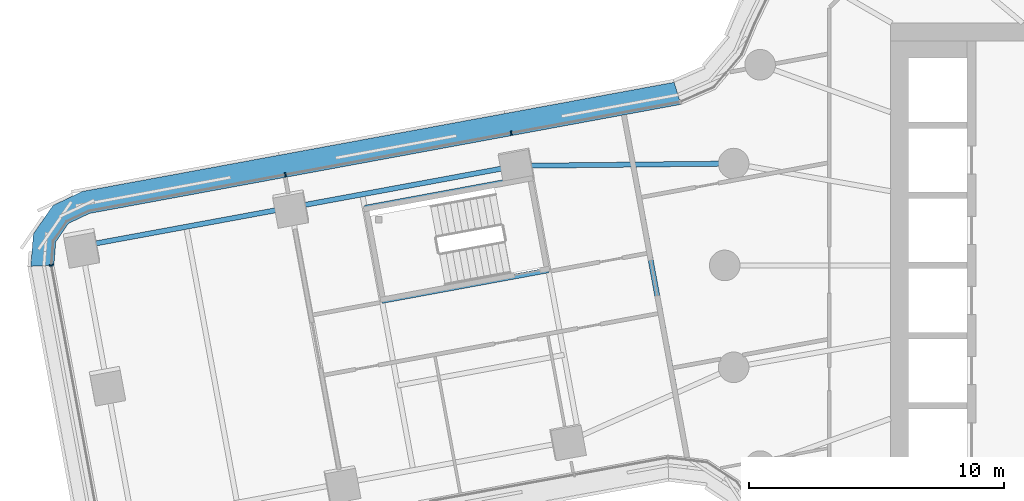
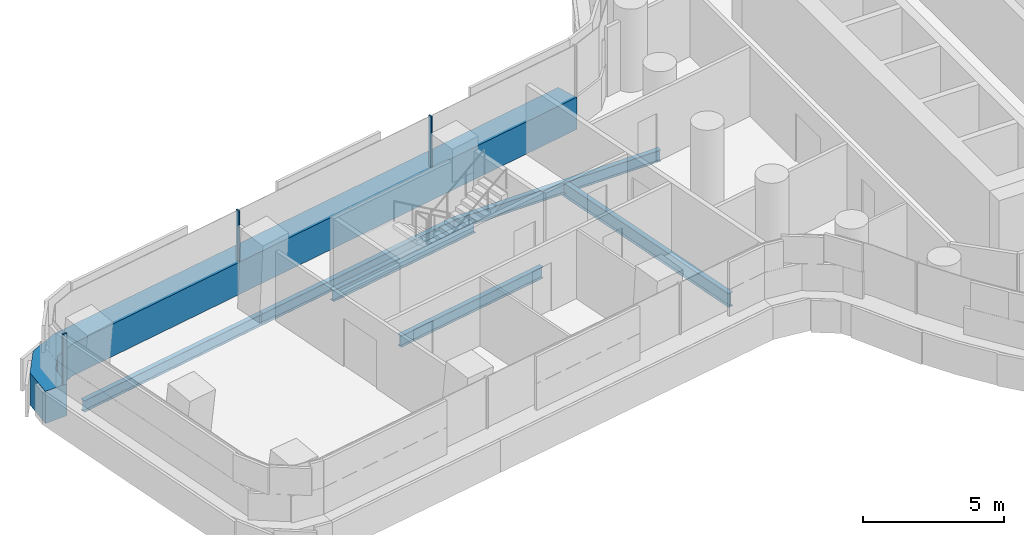
# One storey, part 8 of 33: 6 beams, 4 members, 2 elements without a shape of their own.
"""IFC4 building model written with IfcOpenShell, lengths in metres."""

import ifcopenshell
import ifcopenshell.guid

model = None  # the IFC model being written
_history = None  # IfcOwnerHistory: only IFC2X3 demands one
_inside = {}  # id of a spatial element -> (the spatial element, [elements in it])
_under = {}  # id of a project, library or spatial element -> (it, [spatial elements below it])
_declared = {}  # id of a project -> (the project, [libraries it declares])
_typed = {}  # id of a type object -> (the type object, [elements of that type])
_made_of = {}  # id of a material, layer set ... -> (it, [elements and type objects made of it])


def new_model(schema):
    """Start an empty IFC model of exactly this schema.

    Asked for "IFC4X3", IfcOpenShell would pick the latest addendum, in which some entities
    have other attributes; the version numbers below select the first issue.
    IFC2X3 requires an IfcOwnerHistory on every rooted entity: one is made here for all.
    """
    global model, _history
    if schema == "IFC4X3":
        model = ifcopenshell.file(schema_version=(4, 3, 0, 0))
    else:
        model = ifcopenshell.file(schema=schema)
    _inside.clear()
    _under.clear()
    _declared.clear()
    _typed.clear()
    _made_of.clear()
    _history = None
    if model.schema == "IFC2X3":
        org = make("IfcOrganization", Name="unknown")
        user = make(
            "IfcPersonAndOrganization",
            ThePerson=make("IfcPerson", FamilyName="unknown"),
            TheOrganization=org,
        )
        app = make(
            "IfcApplication",
            ApplicationDeveloper=org,
            Version="unknown",
            ApplicationFullName="unknown",
            ApplicationIdentifier="unknown",
        )
        _history = make(
            "IfcOwnerHistory",
            OwningUser=user,
            OwningApplication=app,
            ChangeAction="ADDED",
            CreationDate=0,
        )
    return model


def make(cls, **values):
    """One entity of the class cls with the attributes given. An attribute that is None is left unset."""
    return model.create_entity(
        cls, **{name: value for name, value in values.items() if value is not None}
    )


def rooted(cls, **values):
    """An entity with a GlobalId (a new one), such as an element, a storey or a relation."""
    return make(cls, GlobalId=ifcopenshell.guid.new(), OwnerHistory=_history, **values)


def si_unit(unit_type, name, prefix=None):
    """IfcSIUnit, for example si_unit("LENGTHUNIT", "METRE", prefix="MILLI")."""
    return make("IfcSIUnit", UnitType=unit_type, Prefix=prefix, Name=name)


def assignment(units):
    """IfcUnitAssignment: the units of a project."""
    return None if units is None else make("IfcUnitAssignment", Units=units)


def point(xyz):
    """IfcCartesianPoint."""
    return None if xyz is None else make("IfcCartesianPoint", Coordinates=xyz)


def direction(xyz):
    """IfcDirection."""
    return None if xyz is None else make("IfcDirection", DirectionRatios=xyz)


def frame(location, z_axis=None, x_axis=None):
    """IfcAxis2Placement3D, a coordinate frame: its origin and axes. An axis left out is left unset."""
    return make(
        "IfcAxis2Placement3D",
        Location=point(location),
        Axis=direction(z_axis),
        RefDirection=direction(x_axis),
    )


def frame_2d(location, x_axis=None):
    """IfcAxis2Placement2D, a coordinate frame in the plane: its origin and x axis."""
    return make(
        "IfcAxis2Placement2D", Location=point(location), RefDirection=direction(x_axis)
    )


def origin():
    """The frame at (0, 0, 0) with its axes left unset."""
    return frame((0.0, 0.0, 0.0))


def origin_2d():
    """The frame at (0, 0) in the plane with its x axis left unset."""
    return frame_2d((0.0, 0.0))


def place(relative_to, where):
    """IfcLocalPlacement: puts the frame where relative to a parent placement (None: the world)."""
    return make(
        "IfcLocalPlacement", PlacementRelTo=relative_to, RelativePlacement=where
    )


def context(
    kind, dimensions, precision=None, world=None, true_north=None, identifier=None
):
    """IfcGeometricRepresentationContext, for example the 3D "Model" context."""
    return make(
        "IfcGeometricRepresentationContext",
        ContextIdentifier=identifier,
        ContextType=kind,
        CoordinateSpaceDimension=dimensions,
        Precision=precision,
        WorldCoordinateSystem=world,
        TrueNorth=true_north,
    )


def subcontext(parent, identifier, kind, view, scale=None):
    """IfcGeometricRepresentationSubContext, for example "Body" below "Model"."""
    return make(
        "IfcGeometricRepresentationSubContext",
        ContextIdentifier=identifier,
        ContextType=kind,
        ParentContext=parent,
        TargetScale=scale,
        TargetView=view,
    )


def project(units=None, contexts=None):
    """IfcProject with its units and contexts."""
    return rooted(
        "IfcProject",
        Name="project",
        RepresentationContexts=contexts,
        UnitsInContext=assignment(units),
    )


def spatial(cls, under=None, at=None, **own):
    """A site, building, storey or space (cls), placed at a placement, below another one or the project."""
    s = rooted(cls, ObjectPlacement=at, **own)
    if under is not None:
        _under.setdefault(under.id(), (under, []))[1].append(s)
    return s


def polyline(points):
    """IfcPolyline through the points."""
    return make("IfcPolyline", Points=[point(p) for p in points])


def profile(cls, at=None, kind="AREA", **sizes):
    """A parametric profile (cls). Its sizes go by their IFC names, for example OverallWidth=200.0."""
    return make(cls, ProfileType=kind, Position=at, **sizes)


def rectangle(**sizes):
    """IfcRectangleProfileDef."""
    return profile("IfcRectangleProfileDef", **sizes)


def i_section(**sizes):
    """IfcIShapeProfileDef."""
    return profile("IfcIShapeProfileDef", **sizes)


def outline(outer, holes=None, kind="AREA"):
    """IfcArbitraryClosedProfileDef: a profile drawn as a closed curve; with holes, ...WithVoids."""
    if holes is None:
        return make("IfcArbitraryClosedProfileDef", ProfileType=kind, OuterCurve=outer)
    return make(
        "IfcArbitraryProfileDefWithVoids",
        ProfileType=kind,
        OuterCurve=outer,
        InnerCurves=holes,
    )


def extrude(swept, where, along, depth):
    """IfcExtrudedAreaSolid: the profile swept, set in the frame where, extruded along a direction by depth."""
    return make(
        "IfcExtrudedAreaSolid",
        SweptArea=swept,
        Position=where,
        ExtrudedDirection=direction(along),
        Depth=depth,
    )


def shape(context_of_items, identifier, shape_type, items):
    """IfcShapeRepresentation: the items that make up one representation, for example the "Body"."""
    return make(
        "IfcShapeRepresentation",
        ContextOfItems=context_of_items,
        RepresentationIdentifier=identifier,
        RepresentationType=shape_type,
        Items=items,
    )


def material(Name=None, Category=None):
    """IfcMaterial."""
    return make("IfcMaterial", Name=Name, Category=Category)


def layer(
    of_material, thickness, ventilated=None, Name=None, Category=None, Priority=None
):
    """IfcMaterialLayer: one layer of a wall or slab, of a material (None: an air gap)."""
    return make(
        "IfcMaterialLayer",
        Material=of_material,
        LayerThickness=thickness,
        IsVentilated=ventilated,
        Name=Name,
        Category=Category,
        Priority=Priority,
    )


def layer_set(layers, Name=None):
    """IfcMaterialLayerSet."""
    return make("IfcMaterialLayerSet", MaterialLayers=layers, LayerSetName=Name)


def material_profile(
    of_material, cross_section, Name=None, Category=None, Priority=None
):
    """IfcMaterialProfile: a cross section and its material."""
    return make(
        "IfcMaterialProfile",
        Name=Name,
        Material=of_material,
        Profile=cross_section,
        Priority=Priority,
        Category=Category,
    )


def profile_set(profiles, Name=None, composite=None):
    """IfcMaterialProfileSet."""
    return make(
        "IfcMaterialProfileSet",
        Name=Name,
        MaterialProfiles=profiles,
        CompositeProfile=composite,
    )


def made_of(thing, what):
    """Note that an element or type object is made of a material, layer set ...; save() writes the relation."""
    if what is not None:
        _made_of.setdefault(what.id(), (what, []))[1].append(thing)
    return thing


def type_object(cls, material=None, **own):
    """A type object (cls), such as IfcWallType, which elements share."""
    return made_of(rooted(cls, **own), material)


def element(
    cls,
    number,
    at=None,
    inside=None,
    cuts=None,
    type_object=None,
    material=None,
    context=None,
    identifier="Body",
    shape_type=None,
    held_by="IfcProductDefinitionShape",
    body=None,
    shapes=None,
    **own,
):
    """One element of the class cls, such as IfcWall. Its Tag is "e" and its number.

    at: its placement. inside: the storey or other place that contains it. cuts: it is an
    opening in that element (IfcRelVoidsElement). A single representation is given by context,
    identifier, shape_type and body (its items); several are given by shapes. held_by: the class
    of the entity that holds the representations. save() writes the other relations.
    """
    e = rooted(cls, Tag="e%d" % number, ObjectPlacement=at, **own)
    if body is not None:
        shapes = [shape(context, identifier, shape_type, body)]
    if shapes is not None:
        e.Representation = make(held_by, Representations=shapes)
    if inside is not None:
        _inside.setdefault(inside.id(), (inside, []))[1].append(e)
    if cuts is not None:
        rooted(
            "IfcRelVoidsElement", RelatingBuildingElement=cuts, RelatedOpeningElement=e
        )
    if type_object is not None:
        _typed.setdefault(type_object.id(), (type_object, []))[1].append(e)
    return made_of(e, material)


def aggregate(whole, parts):
    """IfcRelAggregates: a whole, such as a stair, and the parts it consists of."""
    return rooted("IfcRelAggregates", RelatingObject=whole, RelatedObjects=parts)


def save(model, path):
    """Write the relations noted so far, then the file.

    IfcRelAggregates (storeys below a building ...), IfcRelContainedInSpatialStructure (elements
    in a storey), IfcRelDefinesByType, IfcRelAssociatesMaterial and IfcRelDeclares: one each for
    every whole, place, type object, material and project.
    """
    for whole, parts in _under.values():
        aggregate(whole, parts)
    for where, things in _inside.values():
        rooted(
            "IfcRelContainedInSpatialStructure",
            RelatedElements=things,
            RelatingStructure=where,
        )
    for kind, things in _typed.values():
        rooted("IfcRelDefinesByType", RelatedObjects=things, RelatingType=kind)
    for what, things in _made_of.values():
        rooted("IfcRelAssociatesMaterial", RelatedObjects=things, RelatingMaterial=what)
    for by, libraries in _declared.values():
        rooted("IfcRelDeclares", RelatingContext=by, RelatedDefinitions=libraries)
    model.write(path)


model = new_model("IFC4")

# Units and contexts
model_context = context("Model", 3, precision=1e-05, world=origin(), true_north=direction((0.0, 1.0)))
body_context = subcontext(model_context, "Body", "Model", "MODEL_VIEW")
ifc_project = project(units=[si_unit("LENGTHUNIT", "METRE"), si_unit("AREAUNIT", "SQUARE_METRE"), si_unit("VOLUMEUNIT", "CUBIC_METRE"), si_unit("PLANEANGLEUNIT", "RADIAN"), si_unit("MASSUNIT", "GRAM", prefix="KILO")], contexts=[model_context])

# Site, building, storey
site_placement = place(None, origin())
site = spatial("IfcSite", under=ifc_project, at=site_placement, CompositionType="ELEMENT")
building_placement = place(site_placement, origin())
building = spatial("IfcBuilding", under=site, at=building_placement, Name="Tamarind Cross Interchange Tower", CompositionType="ELEMENT")
storey_placement = place(building_placement, frame((0.0, 0.0, 71.5)))
storey = spatial("IfcBuildingStorey", under=building, at=storey_placement, Name="L16", CompositionType="ELEMENT", Elevation=71.5)

# Beams
ifc_material_1 = material(Name="Steel Q355B", Category="steel")
ifc_material_profile_1 = material_profile(ifc_material_1, i_section(OverallWidth=0.198974609375, OverallDepth=0.49609375, WebThickness=0.009033203125, FlangeThickness=0.013916015625, FilletRadius=0.012939453125, at=origin_2d()), Name="HN 496x199x9x14")
ifc_profile_set_1 = profile_set([ifc_material_profile_1], Name="Steel Q355B")
beam_type_1 = type_object("IfcBeamType", Name="Composite beam HN 496x199x9x14 Q355B", PredefinedType="BEAM", material=ifc_profile_set_1)
beam_1_placement = place(storey_placement, frame((-48.21435546875, 0.7587890625, -0.387939453125), z_axis=(0.983422026354, 0.181331514308, 0.0), x_axis=(-0.181331514308, 0.983422026354, 0.0)))
element("IfcBeam", 1, at=beam_1_placement, inside=storey, type_object=beam_type_1, Name="Beam W-edgeem5", PredefinedType="BEAM", context=body_context, shape_type="SweptSolid", body=[
    extrude(i_section(OverallWidth=0.198974609375, OverallDepth=0.49609375, WebThickness=0.009033203125, FlangeThickness=0.013916015625, FilletRadius=0.012939453125, at=origin_2d()), origin(), (0.0, 0.0, 1.0), 8.342041015625),
])
beam_2_placement = place(storey_placement, frame((-40.010498046875, 2.271484375, -0.387939453125), z_axis=(0.983420231604, 0.181341247573, 0.0), x_axis=(-0.181341247573, 0.983420231604, 0.0)))
element("IfcBeam", 2, at=beam_2_placement, inside=storey, type_object=beam_type_1, Name="Beam W-edgeem6", PredefinedType="BEAM", context=body_context, shape_type="SweptSolid", body=[
    extrude(i_section(OverallWidth=0.198974609375, OverallDepth=0.49609375, WebThickness=0.009033203125, FlangeThickness=0.013916015625, FilletRadius=0.012939453125, at=origin_2d()), origin(), (0.0, 0.0, 1.0), 9.0),
])
beam_3_placement = place(storey_placement, frame((-31.15966796875, 3.903564453125, -0.387939453125), z_axis=(0.999943654866, 0.010615417677, 0.0), x_axis=(-0.010615417677, 0.999943654866, 0.0)))
element("IfcBeam", 3, at=beam_3_placement, inside=storey, type_object=beam_type_1, Name="Beam W-linkem", PredefinedType="BEAM", context=body_context, shape_type="SweptSolid", body=[
    extrude(i_section(OverallWidth=0.198974609375, OverallDepth=0.49609375, WebThickness=0.009033203125, FlangeThickness=0.013916015625, FilletRadius=0.012939453125, at=origin_2d()), origin(), (0.0, 0.0, 1.0), 8.509521484375),
])
for number, where, z_axis, x_axis, name in (
    (4, (-30.584716796875, 3.460693359375, -0.387939453125), (-0.983416422781, -0.181361901743, 0.0), (0.181361901743, -0.983416422781, 0.0), "Beam W-tr0"),
    (5, (-29.911865234375, -0.18798828125, -0.387939453125), (-0.983422984703, -0.181326316781, 0.0), (0.181326316781, -0.983422984703, 0.0), "Beam W-tr1"),
):
    element("IfcBeam", number, at=place(storey_placement, frame(where, z_axis=z_axis, x_axis=x_axis)), inside=storey, type_object=beam_type_1, Name=name, PredefinedType="BEAM", context=body_context, shape_type="SweptSolid", body=[
        extrude(i_section(OverallWidth=0.198974609375, OverallDepth=0.49609375, WebThickness=0.009033203125, FlangeThickness=0.013916015625, FilletRadius=0.012939453125, at=origin_2d()), origin(), (0.0, 0.0, 1.0), 6.63525390625),
    ])
ifc_material_profile_2 = material_profile(ifc_material_1, i_section(OverallWidth=0.199951171875, OverallDepth=0.60009765625, WebThickness=0.010986328125, FlangeThickness=0.01708984375, FilletRadius=0.012939453125, at=origin_2d()), Name="HN 600x200x11x17")
ifc_profile_set_2 = profile_set([ifc_material_profile_2], Name="Steel Q355B")
beam_type_2 = type_object("IfcBeamType", Name="Composite beam HN 600x200x11x17 Q355B", PredefinedType="BEAM", material=ifc_profile_set_2)
beam_4_placement = place(storey_placement, frame((-26.5927734375, 3.9521484375, -0.43994140625), z_axis=(0.181334071397, -0.983421554854, 0.0), x_axis=(0.983421554854, 0.181334071397, 0.0)))
element("IfcBeam", 6, at=beam_4_placement, inside=storey, type_object=beam_type_2, Name="Beam W-x258", PredefinedType="BEAM", context=body_context, shape_type="SweptSolid", body=[
    extrude(i_section(OverallWidth=0.199951171875, OverallDepth=0.60009765625, WebThickness=0.010986328125, FlangeThickness=0.01708984375, FilletRadius=0.012939453125, at=origin_2d()), origin(), (0.0, 0.0, 1.0), 9.122802734375),
])

# Curtain wall, member
ifc_material_2 = material(Name="Aluminium 6063-T6", Category="aluminium")
ifc_layer = layer(ifc_material_2, 0.159912109375)
ifc_layer_set = layer_set([ifc_layer], Name="Aluminium 6063-T6")
curtain_wall_type = type_object("IfcCurtainWallType", Name="Office curtain wall, 9.0 m bays", PredefinedType="NOTDEFINED", material=ifc_layer_set)
curtain_wall_1_placement = place(storey_placement, origin())
curtain_wall_1 = element("IfcCurtainWall", 7, at=curtain_wall_1_placement, inside=storey, type_object=curtain_wall_type, Name="CWS-L16-15", PredefinedType="NOTDEFINED")
ifc_material_3 = material(Name="Aluminium and insulated spandrel panel", Category="aluminium")
member_type_1 = type_object("IfcMemberType", Name="Floor-edge blade transom", PredefinedType="USERDEFINED", material=ifc_material_3)
member_1_placement = place(storey_placement, origin())
member_1 = element("IfcMember", 8, at=member_1_placement, type_object=member_type_1, Name="CWT-L16-15", ObjectType="TRANSOM", PredefinedType="USERDEFINED", context=body_context, shape_type="SweptSolid", body=[
    extrude(outline(polyline([(-24.71728515625, 6.311767578125), (-47.9013671875, 2.03662109375), (-48.72802734375, 1.643310546875), (-49.223876953125, 0.923095703125), (-49.296630859375, 0.0107421875), (-50.203125, -0.0361328125), (-50.10205078125, 1.23486328125), (-49.33251953125, 2.3525390625), (-48.18115234375, 2.900390625), (-24.983154296875, 7.177978515625), (-24.71728515625, 6.311767578125)])), origin(), (0.0, 0.0, 1.0), 1.39990234375),
])

curtain_wall_2_placement = place(storey_placement, origin())
curtain_wall_2 = element("IfcCurtainWall", 9, at=curtain_wall_2_placement, inside=storey, type_object=curtain_wall_type, Name="CWS-L16-00", PredefinedType="NOTDEFINED")
ifc_material_profile_3 = material_profile(ifc_material_2, rectangle(XDim=0.06005859375, YDim=0.159912109375, at=origin_2d()), Name="Mullion CW1")
ifc_profile_set_3 = profile_set([ifc_material_profile_3], Name="Aluminium 6063-T6")
member_type_2 = type_object("IfcMemberType", Name="Mullion CW1", PredefinedType="MULLION", material=ifc_profile_set_3)
member_2_placement = place(storey_placement, frame((-49.3974609375, 0.00537109375, 1.39990234375), z_axis=(0.0, 0.0, 1.0), x_axis=(0.051429607397, -0.998676622077, 0.0)))
member_2 = element("IfcMember", 10, at=member_2_placement, type_object=member_type_2, Name="CWM-L16-00-00", PredefinedType="MULLION", context=body_context, shape_type="SweptSolid", body=[
    extrude(rectangle(XDim=0.06005859375, YDim=0.159912109375, at=origin_2d()), origin(), (0.0, 0.0, 1.0), 2.210205078125),
])
aggregate(curtain_wall_2, [member_2])

# Member
member_3_placement = place(storey_placement, frame((-31.371826171875, 5.1865234375, 1.39990234375), z_axis=(0.0, 0.0, 1.0), x_axis=(-0.983419894311, -0.181343076715, 0.0)))
member_3 = element("IfcMember", 11, at=member_3_placement, type_object=member_type_2, Name="CWM-L16-15-01", PredefinedType="MULLION", context=body_context, shape_type="SweptSolid", body=[
    extrude(rectangle(XDim=0.06005859375, YDim=0.159912109375, at=origin_2d()), origin(), (0.0, 0.0, 1.0), 2.210205078125),
])

member_4_placement = place(storey_placement, frame((-40.221435546875, 3.5546875, 1.39990234375), z_axis=(0.0, 0.0, 1.0), x_axis=(-0.983419894311, -0.181343076715, 0.0)))
member_4 = element("IfcMember", 12, at=member_4_placement, type_object=member_type_2, Name="CWM-L16-15-02", PredefinedType="MULLION", context=body_context, shape_type="SweptSolid", body=[
    extrude(rectangle(XDim=0.06005859375, YDim=0.159912109375, at=origin_2d()), origin(), (0.0, 0.0, 1.0), 2.210205078125),
])

aggregate(curtain_wall_1, [member_3, member_4, member_1])

save(model, "model.ifc")
